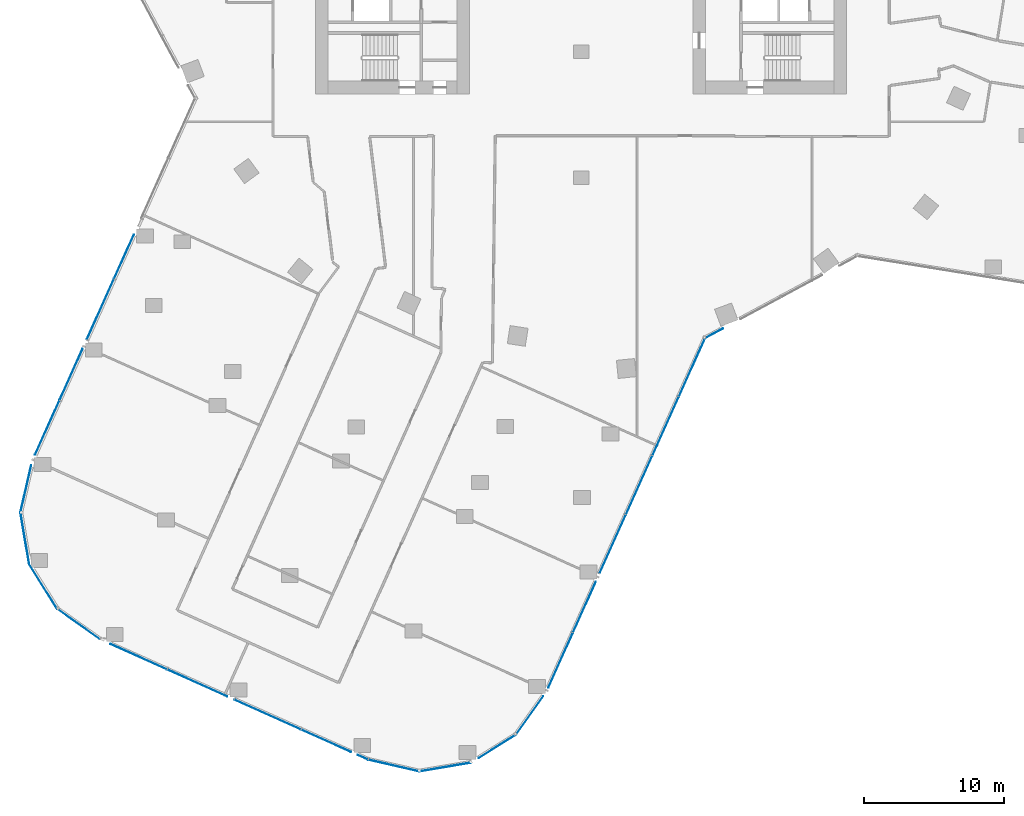
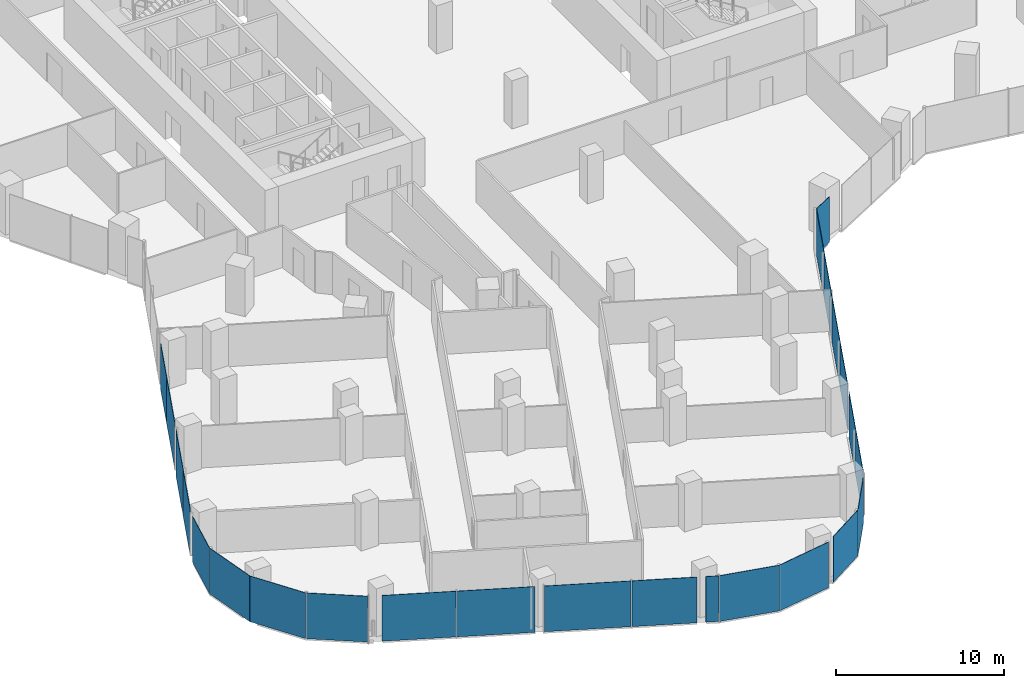
# One storey, part 18 of 34: 24 plates, 12 elements without a shape of their own.
"""IFC4 building model written with IfcOpenShell, lengths in metres."""

from ifc_helpers import new_model, si_unit, direction, frame, origin, origin_2d, place, context, subcontext, project, spatial, rectangle, extrude, material, layer, layer_set, type_object, element, aggregate, save


model = new_model("IFC4")

# Units and contexts
model_context = context("Model", 3, precision=1e-05, world=origin(), true_north=direction((0.0, 1.0)))
body_context = subcontext(model_context, "Body", "Model", "MODEL_VIEW")
ifc_project = project(units=[si_unit("LENGTHUNIT", "METRE"), si_unit("AREAUNIT", "SQUARE_METRE"), si_unit("VOLUMEUNIT", "CUBIC_METRE"), si_unit("PLANEANGLEUNIT", "RADIAN"), si_unit("MASSUNIT", "GRAM", prefix="KILO")], contexts=[model_context])

# Site, building, storey
site_placement = place(None, origin())
site = spatial("IfcSite", under=ifc_project, at=site_placement, CompositionType="ELEMENT")
building_placement = place(site_placement, origin())
building = spatial("IfcBuilding", under=site, at=building_placement, Name="Orlundy Tower", CompositionType="ELEMENT")
storey_placement = place(building_placement, frame((0.0, 0.0, 134.199951171875)))
storey = spatial("IfcBuildingStorey", under=building, at=storey_placement, Name="L34", CompositionType="ELEMENT", Elevation=134.199951171875)

# Curtain wall, plates
ifc_material_1 = material(Name="Aluminium bronze anodised", Category="aluminium")
curtain_wall_type = type_object("IfcCurtainWallType", Name="CW1 wall", PredefinedType="NOTDEFINED", material=ifc_material_1)
curtain_wall_1_placement = place(storey_placement, origin())
curtain_wall_1 = element("IfcCurtainWall", 1, at=curtain_wall_1_placement, inside=storey, type_object=curtain_wall_type, Name="CW1 run 00", PredefinedType="NOTDEFINED")
ifc_material_2 = material(Name="Tinted glass", Category="glass")
ifc_layer = layer(ifc_material_2, 0.031982421875)
ifc_layer_set = layer_set([ifc_layer], Name="CW1 glass panel 32")
plate_type = type_object("IfcPlateType", Name="CW1 glass panel 32", PredefinedType="CURTAIN_PANEL", material=ifc_layer_set)
plate_1_placement = place(storey_placement, frame((-38.206787109375, -35.89306640625, -0.280029296875), z_axis=(0.0, 0.0, 1.0), x_axis=(0.409404071174, 0.912353169834, 0.0)))
plate_1 = element("IfcPlate", 2, at=plate_1_placement, type_object=plate_type, Name="CW1 panel", PredefinedType="CURTAIN_PANEL", context=body_context, shape_type="SweptSolid", body=[
    extrude(rectangle(XDim=4.239501953125, YDim=0.031982421875, at=origin_2d()), origin(), (0.0, 0.0, 1.0), 3.330078125),
])
plate_2_placement = place(storey_placement, frame((-36.499755859375, -32.0888671875, -0.280029296875), z_axis=(0.0, 0.0, 1.0), x_axis=(0.409404071174, 0.912353169834, 0.0)))
plate_2 = element("IfcPlate", 3, at=plate_2_placement, type_object=plate_type, Name="CW1 panel", PredefinedType="CURTAIN_PANEL", context=body_context, shape_type="SweptSolid", body=[
    extrude(rectangle(XDim=3.999755859375, YDim=0.031982421875, at=origin_2d()), origin(), (0.0, 0.0, 1.0), 3.330078125),
])
plate_3_placement = place(storey_placement, frame((-34.408447265625, -27.4287109375, -0.280029296875), z_axis=(0.0, 0.0, 1.0), x_axis=(0.409404071174, 0.912353169834, 0.0)))
plate_3 = element("IfcPlate", 4, at=plate_3_placement, type_object=plate_type, Name="CW1 panel", PredefinedType="CURTAIN_PANEL", context=body_context, shape_type="SweptSolid", body=[
    extrude(rectangle(XDim=4.705322265625, YDim=0.031982421875, at=origin_2d()), origin(), (0.0, 0.0, 1.0), 3.330078125),
])
plate_4_placement = place(storey_placement, frame((-32.717529296875, -23.659912109375, -0.280029296875), z_axis=(0.0, 0.0, 1.0), x_axis=(0.409404071174, 0.912353169834, 0.0)))
plate_4 = element("IfcPlate", 5, at=plate_4_placement, type_object=plate_type, Name="CW1 panel", PredefinedType="CURTAIN_PANEL", context=body_context, shape_type="SweptSolid", body=[
    extrude(rectangle(XDim=3.4560546875, YDim=0.031982421875, at=origin_2d()), origin(), (0.0, 0.0, 1.0), 3.330078125),
])
aggregate(curtain_wall_1, [plate_1, plate_2, plate_3, plate_4])

# Curtain wall, plate
curtain_wall_2_placement = place(storey_placement, origin())
curtain_wall_2 = element("IfcCurtainWall", 6, at=curtain_wall_2_placement, inside=storey, type_object=curtain_wall_type, Name="CW1 run 017", PredefinedType="NOTDEFINED")
plate_5_placement = place(storey_placement, frame((9.50830078125, -29.142578125, -0.280029296875), z_axis=(0.0, 0.0, 1.0), x_axis=(-0.88019320423, -0.474615553081, 0.0)))
plate_5 = element("IfcPlate", 7, at=plate_5_placement, type_object=plate_type, Name="CW1 panel", PredefinedType="CURTAIN_PANEL", context=body_context, shape_type="SweptSolid", body=[
    extrude(rectangle(XDim=1.450927734375, YDim=0.031982421875, at=origin_2d()), origin(), (0.0, 0.0, 1.0), 3.330078125),
])
aggregate(curtain_wall_2, [plate_5])

# Curtain wall, plates
curtain_wall_3_placement = place(storey_placement, origin())
curtain_wall_3 = element("IfcCurtainWall", 8, at=curtain_wall_3_placement, inside=storey, type_object=curtain_wall_type, Name="CW1 run 018", PredefinedType="NOTDEFINED")
plate_6_placement = place(storey_placement, frame((7.9384765625, -31.5625, -0.280029296875), z_axis=(0.0, 0.0, 1.0), x_axis=(-0.409405171428, -0.912352676112, 0.0)))
plate_6 = element("IfcPlate", 9, at=plate_6_placement, type_object=plate_type, Name="CW1 panel", PredefinedType="CURTAIN_PANEL", context=body_context, shape_type="SweptSolid", body=[
    extrude(rectangle(XDim=4.550048828125, YDim=0.031982421875, at=origin_2d()), origin(), (0.0, 0.0, 1.0), 3.330078125),
])
plate_7_placement = place(storey_placement, frame((6.048828125, -35.7734375, -0.280029296875), z_axis=(0.0, 0.0, 1.0), x_axis=(-0.409405171428, -0.912352676112, 0.0)))
plate_7 = element("IfcPlate", 10, at=plate_7_placement, type_object=plate_type, Name="CW1 panel", PredefinedType="CURTAIN_PANEL", context=body_context, shape_type="SweptSolid", body=[
    extrude(rectangle(XDim=4.580810546875, YDim=0.031982421875, at=origin_2d()), origin(), (0.0, 0.0, 1.0), 3.330078125),
])
plate_8_placement = place(storey_placement, frame((4.153076171875, -39.998291015625, -0.280029296875), z_axis=(0.0, 0.0, 1.0), x_axis=(-0.409405171428, -0.912352676112, 0.0)))
plate_8 = element("IfcPlate", 11, at=plate_8_placement, type_object=plate_type, Name="CW1 panel", PredefinedType="CURTAIN_PANEL", context=body_context, shape_type="SweptSolid", body=[
    extrude(rectangle(XDim=4.580810546875, YDim=0.031982421875, at=origin_2d()), origin(), (0.0, 0.0, 1.0), 3.330078125),
])
plate_9_placement = place(storey_placement, frame((2.25732421875, -44.22314453125, -0.280029296875), z_axis=(0.0, 0.0, 1.0), x_axis=(-0.409405171428, -0.912352676112, 0.0)))
plate_9 = element("IfcPlate", 12, at=plate_9_placement, type_object=plate_type, Name="CW1 panel", PredefinedType="CURTAIN_PANEL", context=body_context, shape_type="SweptSolid", body=[
    extrude(rectangle(XDim=4.580810546875, YDim=0.031982421875, at=origin_2d()), origin(), (0.0, 0.0, 1.0), 3.330078125),
])
plate_10_placement = place(storey_placement, frame((0.23291015625, -48.734130859375, -0.280029296875), z_axis=(0.0, 0.0, 1.0), x_axis=(-0.409405171428, -0.912352676112, 0.0)))
plate_10 = element("IfcPlate", 13, at=plate_10_placement, type_object=plate_type, Name="CW1 panel", PredefinedType="CURTAIN_PANEL", context=body_context, shape_type="SweptSolid", body=[
    extrude(rectangle(XDim=3.952880859375, YDim=0.031982421875, at=origin_2d()), origin(), (0.0, 0.0, 1.0), 3.330078125),
])
plate_11_placement = place(storey_placement, frame((-1.474365234375, -52.538818359375, -0.280029296875), z_axis=(0.0, 0.0, 1.0), x_axis=(-0.409405171428, -0.912352676112, 0.0)))
plate_11 = element("IfcPlate", 14, at=plate_11_placement, type_object=plate_type, Name="CW1 panel", PredefinedType="CURTAIN_PANEL", context=body_context, shape_type="SweptSolid", body=[
    extrude(rectangle(XDim=4.287353515625, YDim=0.031982421875, at=origin_2d()), origin(), (0.0, 0.0, 1.0), 3.330078125),
])
aggregate(curtain_wall_3, [plate_6, plate_7, plate_8, plate_9, plate_10, plate_11])

# Curtain wall, plate
curtain_wall_4_placement = place(storey_placement, origin())
curtain_wall_4 = element("IfcCurtainWall", 15, at=curtain_wall_4_placement, inside=storey, type_object=curtain_wall_type, Name="CW1 run 019", PredefinedType="NOTDEFINED")
plate_12_placement = place(storey_placement, frame((-3.68798828125, -56.486328125, -0.280029296875), z_axis=(0.0, 0.0, 1.0), x_axis=(-0.579476006313, -0.814989299383, 0.0)))
plate_12 = element("IfcPlate", 16, at=plate_12_placement, type_object=plate_type, Name="CW1 panel", PredefinedType="CURTAIN_PANEL", context=body_context, shape_type="SweptSolid", body=[
    extrude(rectangle(XDim=3.37255859375, YDim=0.031982421875, at=origin_2d()), origin(), (0.0, 0.0, 1.0), 3.330078125),
])
aggregate(curtain_wall_4, [plate_12])

curtain_wall_5_placement = place(storey_placement, origin())
curtain_wall_5 = element("IfcCurtainWall", 17, at=curtain_wall_5_placement, inside=storey, type_object=curtain_wall_type, Name="CW1 run 020", PredefinedType="NOTDEFINED")
plate_13_placement = place(storey_placement, frame((-5.99951171875, -58.697021484375, -0.280029296875), z_axis=(0.0, 0.0, 1.0), x_axis=(-0.847285276564, -0.531138080086, 0.0)))
plate_13 = element("IfcPlate", 18, at=plate_13_placement, type_object=plate_type, Name="CW1 panel", PredefinedType="CURTAIN_PANEL", context=body_context, shape_type="SweptSolid", body=[
    extrude(rectangle(XDim=3.149658203125, YDim=0.031982421875, at=origin_2d()), origin(), (0.0, 0.0, 1.0), 3.330078125),
])
aggregate(curtain_wall_5, [plate_13])

curtain_wall_6_placement = place(storey_placement, origin())
curtain_wall_6 = element("IfcCurtainWall", 19, at=curtain_wall_6_placement, inside=storey, type_object=curtain_wall_type, Name="CW1 run 021", PredefinedType="NOTDEFINED")
plate_14_placement = place(storey_placement, frame((-9.72119140625, -60.17822265625, -0.280029296875), z_axis=(0.0, 0.0, 1.0), x_axis=(-0.986049086137, -0.166454797856, 0.0)))
plate_14 = element("IfcPlate", 20, at=plate_14_placement, type_object=plate_type, Name="CW1 panel", PredefinedType="CURTAIN_PANEL", context=body_context, shape_type="SweptSolid", body=[
    extrude(rectangle(XDim=3.77197265625, YDim=0.031982421875, at=origin_2d()), origin(), (0.0, 0.0, 1.0), 3.330078125),
])
aggregate(curtain_wall_6, [plate_14])

curtain_wall_7_placement = place(storey_placement, origin())
curtain_wall_7 = element("IfcCurtainWall", 21, at=curtain_wall_7_placement, inside=storey, type_object=curtain_wall_type, Name="CW1 run 022", PredefinedType="NOTDEFINED")
plate_15_placement = place(storey_placement, frame((-13.3984375, -60.074951171875, -0.280029296875), z_axis=(0.0, 0.0, 1.0), x_axis=(-0.974658825104, 0.223696612955, 0.0)))
plate_15 = element("IfcPlate", 22, at=plate_15_placement, type_object=plate_type, Name="CW1 panel", PredefinedType="CURTAIN_PANEL", context=body_context, shape_type="SweptSolid", body=[
    extrude(rectangle(XDim=3.7294921875, YDim=0.031982421875, at=origin_2d()), origin(), (0.0, 0.0, 1.0), 3.330078125),
])
aggregate(curtain_wall_7, [plate_15])

# Curtain wall, plates
curtain_wall_8_placement = place(storey_placement, origin())
curtain_wall_8 = element("IfcCurtainWall", 23, at=curtain_wall_8_placement, inside=storey, type_object=curtain_wall_type, Name="CW1 run 023", PredefinedType="NOTDEFINED")
plate_16_placement = place(storey_placement, frame((-15.62109375, -59.4814453125, -0.280029296875), z_axis=(0.0, 0.0, 1.0), x_axis=(-0.912366461182, 0.409374450241, 0.0)))
plate_16 = element("IfcPlate", 24, at=plate_16_placement, type_object=plate_type, Name="CW1 panel", PredefinedType="CURTAIN_PANEL", context=body_context, shape_type="SweptSolid", body=[
    extrude(rectangle(XDim=0.783935546875, YDim=0.031982421875, at=origin_2d()), origin(), (0.0, 0.0, 1.0), 3.330078125),
])
plate_17_placement = place(storey_placement, frame((-18.24755859375, -58.302978515625, -0.280029296875), z_axis=(0.0, 0.0, 1.0), x_axis=(-0.912366461182, 0.409374450241, 0.0)))
plate_17 = element("IfcPlate", 25, at=plate_17_placement, type_object=plate_type, Name="CW1 panel", PredefinedType="CURTAIN_PANEL", context=body_context, shape_type="SweptSolid", body=[
    extrude(rectangle(XDim=3.89013671875, YDim=0.031982421875, at=origin_2d()), origin(), (0.0, 0.0, 1.0), 3.330078125),
])
plate_18_placement = place(storey_placement, frame((-22.440185546875, -56.421875, -0.280029296875), z_axis=(0.0, 0.0, 1.0), x_axis=(-0.912366461182, 0.409374450241, 0.0)))
plate_18 = element("IfcPlate", 26, at=plate_18_placement, type_object=plate_type, Name="CW1 panel", PredefinedType="CURTAIN_PANEL", context=body_context, shape_type="SweptSolid", body=[
    extrude(rectangle(XDim=5.2001953125, YDim=0.031982421875, at=origin_2d()), origin(), (0.0, 0.0, 1.0), 3.330078125),
])
plate_19_placement = place(storey_placement, frame((-27.462646484375, -54.168212890625, -0.280029296875), z_axis=(0.0, 0.0, 1.0), x_axis=(-0.912366461182, 0.409374450241, 0.0)))
plate_19 = element("IfcPlate", 27, at=plate_19_placement, type_object=plate_type, Name="CW1 panel", PredefinedType="CURTAIN_PANEL", context=body_context, shape_type="SweptSolid", body=[
    extrude(rectangle(XDim=4.6904296875, YDim=0.031982421875, at=origin_2d()), origin(), (0.0, 0.0, 1.0), 3.330078125),
])
plate_20_placement = place(storey_placement, frame((-31.663330078125, -52.283203125, -0.280029296875), z_axis=(0.0, 0.0, 1.0), x_axis=(-0.912366461182, 0.409374450241, 0.0)))
plate_20 = element("IfcPlate", 28, at=plate_20_placement, type_object=plate_type, Name="CW1 panel", PredefinedType="CURTAIN_PANEL", context=body_context, shape_type="SweptSolid", body=[
    extrude(rectangle(XDim=4.41796875, YDim=0.031982421875, at=origin_2d()), origin(), (0.0, 0.0, 1.0), 3.330078125),
])
aggregate(curtain_wall_8, [plate_16, plate_17, plate_18, plate_19, plate_20])

# Curtain wall, plate
curtain_wall_9_placement = place(storey_placement, origin())
curtain_wall_9 = element("IfcCurtainWall", 29, at=curtain_wall_9_placement, inside=storey, type_object=curtain_wall_type, Name="CW1 run 024", PredefinedType="NOTDEFINED")
plate_21_placement = place(storey_placement, frame((-35.970458984375, -49.946533203125, -0.280029296875), z_axis=(0.0, 0.0, 1.0), x_axis=(-0.814989299383, 0.579476006313, 0.0)))
plate_21 = element("IfcPlate", 30, at=plate_21_placement, type_object=plate_type, Name="CW1 panel", PredefinedType="CURTAIN_PANEL", context=body_context, shape_type="SweptSolid", body=[
    extrude(rectangle(XDim=3.73046875, YDim=0.031982421875, at=origin_2d()), origin(), (0.0, 0.0, 1.0), 3.330078125),
])
aggregate(curtain_wall_9, [plate_21])

curtain_wall_10_placement = place(storey_placement, origin())
curtain_wall_10 = element("IfcCurtainWall", 31, at=curtain_wall_10_placement, inside=storey, type_object=curtain_wall_type, Name="CW1 run 025", PredefinedType="NOTDEFINED")
plate_22_placement = place(storey_placement, frame((-38.492431640625, -47.267578125, -0.280029296875), z_axis=(0.0, 0.0, 1.0), x_axis=(-0.531138080086, 0.847285276564, 0.0)))
plate_22 = element("IfcPlate", 32, at=plate_22_placement, type_object=plate_type, Name="CW1 panel", PredefinedType="CURTAIN_PANEL", context=body_context, shape_type="SweptSolid", body=[
    extrude(rectangle(XDim=3.7724609375, YDim=0.031982421875, at=origin_2d()), origin(), (0.0, 0.0, 1.0), 3.330078125),
])
aggregate(curtain_wall_10, [plate_22])

curtain_wall_11_placement = place(storey_placement, origin())
curtain_wall_11 = element("IfcCurtainWall", 33, at=curtain_wall_11_placement, inside=storey, type_object=curtain_wall_type, Name="CW1 run 026", PredefinedType="NOTDEFINED")
plate_23_placement = place(storey_placement, frame((-39.80810546875, -43.809814453125, -0.280029296875), z_axis=(0.0, 0.0, 1.0), x_axis=(-0.166454797856, 0.986049086137, 0.0)))
plate_23 = element("IfcPlate", 34, at=plate_23_placement, type_object=plate_type, Name="CW1 panel", PredefinedType="CURTAIN_PANEL", context=body_context, shape_type="SweptSolid", body=[
    extrude(rectangle(XDim=3.77197265625, YDim=0.031982421875, at=origin_2d()), origin(), (0.0, 0.0, 1.0), 3.330078125),
])
aggregate(curtain_wall_11, [plate_23])

curtain_wall_12_placement = place(storey_placement, origin())
curtain_wall_12 = element("IfcCurtainWall", 35, at=curtain_wall_12_placement, inside=storey, type_object=curtain_wall_type, Name="CW1 run 027", PredefinedType="NOTDEFINED")
plate_24_placement = place(storey_placement, frame((-39.736572265625, -40.269775390625, -0.280029296875), z_axis=(0.0, 0.0, 1.0), x_axis=(0.223637795584, 0.974672322571, 0.0)))
plate_24 = element("IfcPlate", 36, at=plate_24_placement, type_object=plate_type, Name="CW1 panel", PredefinedType="CURTAIN_PANEL", context=body_context, shape_type="SweptSolid", body=[
    extrude(rectangle(XDim=3.4482421875, YDim=0.031982421875, at=origin_2d()), origin(), (0.0, 0.0, 1.0), 3.330078125),
])
aggregate(curtain_wall_12, [plate_24])

save(model, "model.ifc")
